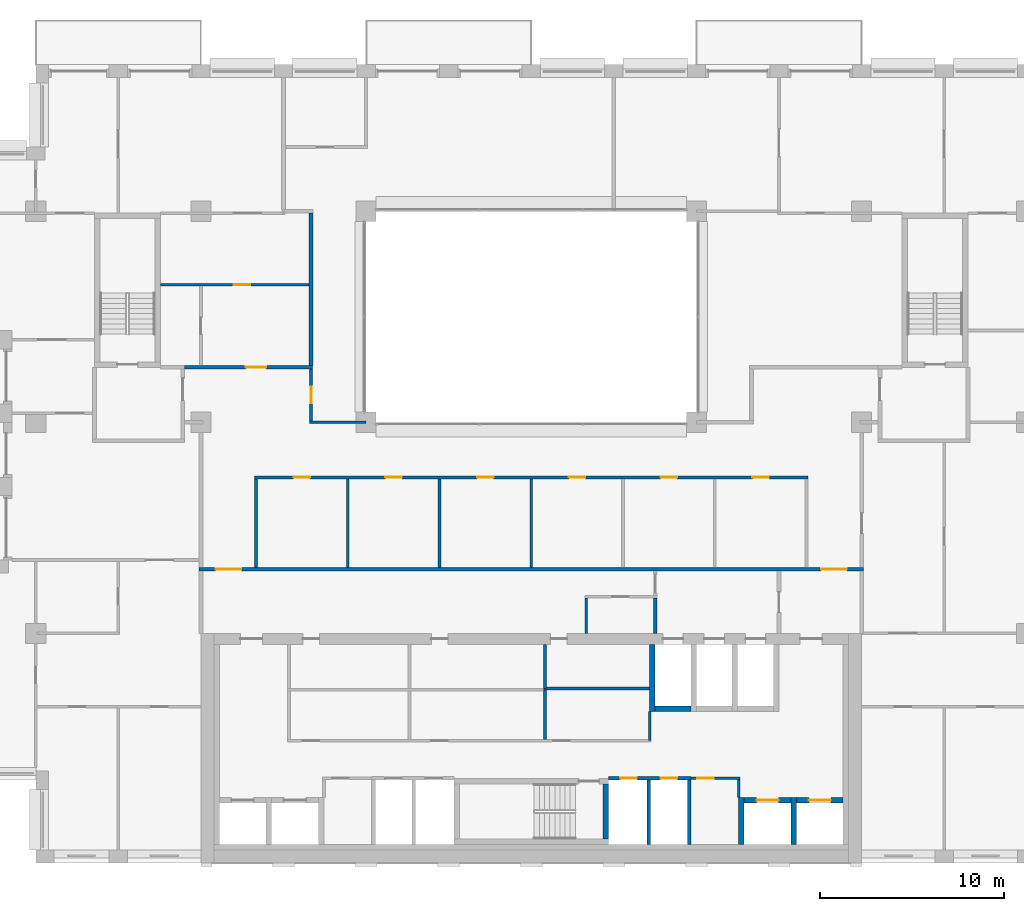
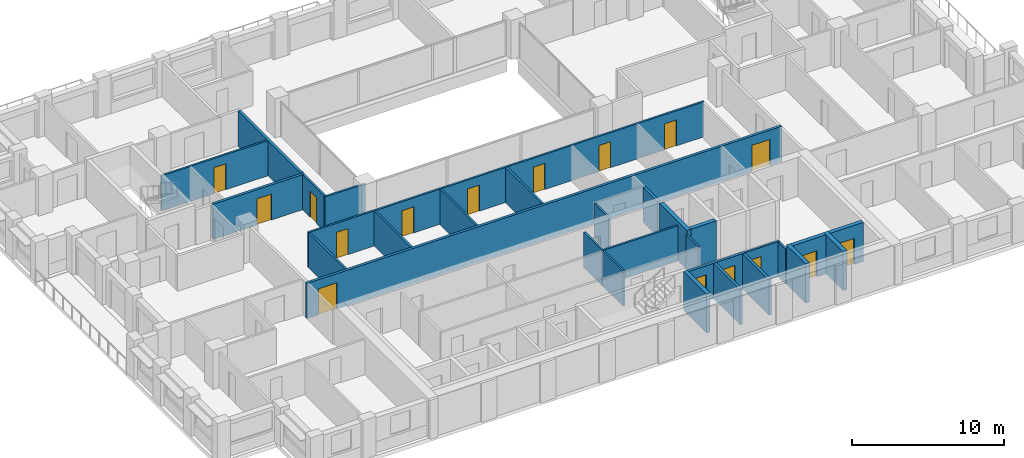
# One storey, part 10 of 16: 29 walls, 16 doors, 16 openings.
"""IFC4 building model written with IfcOpenShell, lengths in metres."""

from ifc_helpers import new_model, si_unit, direction, frame, frame_2d, origin, place, context, subcontext, project, spatial, rectangle, extrude, material, layer, layer_set, type_object, element, fill, save


model = new_model("IFC4")

# Units and contexts
model_context = context("Model", 3, precision=1e-05, world=origin(), true_north=direction((0.0, 1.0)))
body_context = subcontext(model_context, "Body", "Model", "MODEL_VIEW")
ifc_project = project(units=[si_unit("LENGTHUNIT", "METRE"), si_unit("AREAUNIT", "SQUARE_METRE"), si_unit("VOLUMEUNIT", "CUBIC_METRE"), si_unit("PLANEANGLEUNIT", "RADIAN"), si_unit("MASSUNIT", "GRAM", prefix="KILO")], contexts=[model_context])

# Site, building, storey
site_placement = place(None, origin())
site = spatial("IfcSite", under=ifc_project, at=site_placement, CompositionType="ELEMENT")
building_placement = place(site_placement, origin())
building = spatial("IfcBuilding", under=site, at=building_placement, Name="Brigalow Station Residences", CompositionType="ELEMENT")
storey_placement = place(building_placement, frame((0.0, 0.0, 179.10009765625)))
storey = spatial("IfcBuildingStorey", under=building, at=storey_placement, Name="L52", CompositionType="ELEMENT", Elevation=179.10009765625)

# Walls
ifc_material_1 = material(Name="Concrete C65", Category="concrete")
ifc_layer_1 = layer(ifc_material_1, 0.300048828125)
ifc_layer_set_1 = layer_set([ifc_layer_1], Name="CORE SHEAR WALL 300 C65")
wall_type_1 = type_object("IfcWallType", Name="CORE SHEAR WALL 300 C65", PredefinedType="SHEAR", material=ifc_layer_set_1)
wall_1_placement = place(storey_placement, frame((42.75, 8.39990234375, 0.0), z_axis=(0.0, 0.0, 1.0), x_axis=(1.0, 0.0, 0.0)))
element("IfcWall", 1, at=wall_1_placement, inside=storey, type_object=wall_type_1, Name="CORE WALL SH-FF1-S L52", PredefinedType="SHEAR", context=body_context, shape_type="SweptSolid", body=[
    extrude(rectangle(XDim=1.949951171875, YDim=0.300048828125, at=frame_2d((0.97509765625, 0.0))), origin(), (0.0, 0.0, 1.0), 3.14990234375),
])
wall_2_placement = place(storey_placement, frame((42.60009765625, 8.25, 0.0), z_axis=(0.0, 0.0, 1.0), x_axis=(0.0, 1.0, 0.0)))
element("IfcWall", 2, at=wall_2_placement, inside=storey, type_object=wall_type_1, Name="CORE WALL SH-FF1-W L52", PredefinedType="SHEAR", context=body_context, shape_type="SweptSolid", body=[
    extrude(rectangle(XDim=3.64990234375, YDim=0.300048828125, at=frame_2d((1.824951171875, 0.0))), origin(), (0.0, 0.0, 1.0), 3.14990234375),
])

# Wall, opening, door
wall_3_placement = place(storey_placement, frame((47.60009765625, 3.39990234375, 0.0), z_axis=(0.0, 0.0, 1.0), x_axis=(1.0, 0.0, 0.0)))
wall_3 = element("IfcWall", 3, at=wall_3_placement, inside=storey, type_object=wall_type_1, Name="CORE WALL SH-C3-N L52", PredefinedType="SHEAR", context=body_context, shape_type="SweptSolid", body=[
    extrude(rectangle(XDim=2.5498046875, YDim=0.300048828125, at=frame_2d((1.27490234375, 0.0))), origin(), (0.0, 0.0, 1.0), 3.14990234375),
])
opening_1_placement = place(wall_3_placement, frame((0.675048828125, 0.0, 0.0)))
opening_1 = element("IfcOpeningElement", 4, at=opening_1_placement, cuts=wall_3, Name="Opening LD-LB3", PredefinedType="OPENING", context=body_context, shape_type="SweptSolid", body=[
    extrude(rectangle(XDim=1.199951171875, YDim=2.10009765625, at=frame_2d((0.60009765625, 1.050048828125))), frame((0.0, 0.16015625, 0.0), z_axis=(0.0, -1.0, 0.0), x_axis=(1.0, 0.0, 0.0)), (0.0, 0.0, 1.0), 0.320068359375),
])
ifc_material_2 = material(Name="Stainless steel sliding door leaves", Category="steel")
door_type_1 = type_object("IfcDoorType", Name="LIFT LANDING DOOR 1200 x 2100", OperationType="DOUBLE_DOOR_SLIDING", PredefinedType="DOOR", material=ifc_material_2)
door_1_placement = place(opening_1_placement, origin())
door_1 = element("IfcDoor", 5, at=door_1_placement, inside=storey, type_object=door_type_1, Name="LANDING DOOR LB3", OperationType="DOUBLE_DOOR_SLIDING", OverallHeight=2.10009765625, OverallWidth=1.199951171875, PredefinedType="DOOR", context=body_context, shape_type="SweptSolid", body=[
    extrude(rectangle(XDim=1.199951171875, YDim=2.10009765625, at=frame_2d((0.60009765625, 1.050048828125))), frame((0.0, 0.02490234375, 0.0), z_axis=(0.0, -1.0, 0.0), x_axis=(1.0, 0.0, 0.0)), (0.0, 0.0, 1.0), 0.050048828125),
])
fill(opening_1, door_1)

# Wall
wall_4_placement = place(storey_placement, frame((47.449951171875, 1.0, 0.0), z_axis=(0.0, 0.0, 1.0), x_axis=(0.0, 1.0, 0.0)))
element("IfcWall", 6, at=wall_4_placement, inside=storey, type_object=wall_type_1, Name="CORE WALL SH-C3-W L52", PredefinedType="SHEAR", context=body_context, shape_type="SweptSolid", body=[
    extrude(rectangle(XDim=2.550048828125, YDim=0.300048828125, at=frame_2d((1.27490234375, 0.0))), origin(), (0.0, 0.0, 1.0), 3.14990234375),
])

# Wall, opening, door
wall_5_placement = place(storey_placement, frame((50.449951171875, 3.39990234375, 0.0), z_axis=(0.0, 0.0, 1.0), x_axis=(1.0, 0.0, 0.0)))
wall_5 = element("IfcWall", 7, at=wall_5_placement, inside=storey, type_object=wall_type_1, Name="CORE WALL SH-C4-N L52", PredefinedType="SHEAR", context=body_context, shape_type="SweptSolid", body=[
    extrude(rectangle(XDim=2.550048828125, YDim=0.300048828125, at=frame_2d((1.27490234375, 0.0))), origin(), (0.0, 0.0, 1.0), 3.14990234375),
])
opening_2_placement = place(wall_5_placement, frame((0.675048828125, 0.0, 0.0)))
opening_2 = element("IfcOpeningElement", 8, at=opening_2_placement, cuts=wall_5, Name="Opening LD-LB4", PredefinedType="OPENING", context=body_context, shape_type="SweptSolid", body=[
    extrude(rectangle(XDim=1.199951171875, YDim=2.10009765625, at=frame_2d((0.60009765625, 1.050048828125))), frame((0.0, 0.16015625, 0.0), z_axis=(0.0, -1.0, 0.0), x_axis=(1.0, 0.0, 0.0)), (0.0, 0.0, 1.0), 0.320068359375),
])
door_2_placement = place(opening_2_placement, origin())
door_2 = element("IfcDoor", 9, at=door_2_placement, inside=storey, type_object=door_type_1, Name="LANDING DOOR LB4", OperationType="DOUBLE_DOOR_SLIDING", OverallHeight=2.10009765625, OverallWidth=1.199951171875, PredefinedType="DOOR", context=body_context, shape_type="SweptSolid", body=[
    extrude(rectangle(XDim=1.199951171875, YDim=2.10009765625, at=frame_2d((0.60009765625, 1.050048828125))), frame((0.0, 0.02490234375, 0.0), z_axis=(0.0, -1.0, 0.0), x_axis=(1.0, 0.0, 0.0)), (0.0, 0.0, 1.0), 0.050048828125),
])
fill(opening_2, door_2)

# Walls
wall_6_placement = place(storey_placement, frame((50.300048828125, 1.0, 0.0), z_axis=(0.0, 0.0, 1.0), x_axis=(0.0, 1.0, 0.0)))
element("IfcWall", 10, at=wall_6_placement, inside=storey, type_object=wall_type_1, Name="CORE WALL SH-C4-W L52", PredefinedType="SHEAR", context=body_context, shape_type="SweptSolid", body=[
    extrude(rectangle(XDim=2.550048828125, YDim=0.300048828125, at=frame_2d((1.27490234375, 0.0))), origin(), (0.0, 0.0, 1.0), 3.14990234375),
])
wall_7_placement = place(storey_placement, frame((40.050048828125, 1.300048828125, 0.0), z_axis=(0.0, 0.0, 1.0), x_axis=(0.0, 1.0, 0.0)))
element("IfcWall", 11, at=wall_7_placement, inside=storey, type_object=wall_type_1, Name="CORE WALL ST-S2-E L52", PredefinedType="SHEAR", context=body_context, shape_type="SweptSolid", body=[
    extrude(rectangle(XDim=3.0, YDim=0.300048828125, at=frame_2d((1.5, 0.0))), origin(), (0.0, 0.0, 1.0), 3.14990234375),
])

# Wall, openings, doors
ifc_material_3 = material(Name="Concrete blockwork", Category="masonry")
ifc_layer_2 = layer(ifc_material_3, 0.199951171875)
ifc_layer_set_2 = layer_set([ifc_layer_2], Name="FIRE RATED CORE PARTITION 200")
wall_type_2 = type_object("IfcWallType", Name="FIRE RATED CORE PARTITION 200", PredefinedType="PARTITIONING", material=ifc_layer_set_2)
wall_8_placement = place(storey_placement, frame((40.199951171875, 4.60009765625, 0.0), z_axis=(0.0, 0.0, 1.0), x_axis=(1.0, 0.0, 0.0)))
wall_8 = element("IfcWall", 12, at=wall_8_placement, inside=storey, type_object=wall_type_2, Name="PW-5018", PredefinedType="PARTITIONING", context=body_context, shape_type="SweptSolid", body=[
    extrude(rectangle(XDim=4.5, YDim=0.199951171875, at=frame_2d((2.25, 0.0))), origin(), (0.0, 0.0, 1.0), 2.829833984375),
])
opening_3_placement = place(wall_8_placement, frame((0.64990234375, 0.0, 0.0)))
opening_3 = element("IfcOpeningElement", 13, at=opening_3_placement, cuts=wall_8, Name="Opening D-5009", PredefinedType="OPENING", context=body_context, shape_type="SweptSolid", body=[
    extrude(rectangle(XDim=0.89990234375, YDim=2.10009765625, at=frame_2d((0.449951171875, 1.050048828125))), frame((0.0, 0.10986328125, 0.0), z_axis=(0.0, -1.0, 0.0), x_axis=(1.0, 0.0, 0.0)), (0.0, 0.0, 1.0), 0.219970703125),
])
opening_4_placement = place(wall_8_placement, frame((2.85009765625, 0.0, 0.0)))
opening_4 = element("IfcOpeningElement", 14, at=opening_4_placement, cuts=wall_8, Name="Opening D-5010", PredefinedType="OPENING", context=body_context, shape_type="SweptSolid", body=[
    extrude(rectangle(XDim=0.89990234375, YDim=2.10009765625, at=frame_2d((0.449951171875, 1.050048828125))), frame((0.0, 0.10986328125, 0.0), z_axis=(0.0, -1.0, 0.0), x_axis=(1.0, 0.0, 0.0)), (0.0, 0.0, 1.0), 0.219970703125),
])
ifc_material_4 = material(Name="Steel fire door leaf in steel frame", Category="steel")
door_type_2 = type_object("IfcDoorType", Name="RISER ACCESS DOOR 900 x 2100 FD120", OperationType="SINGLE_SWING_LEFT", PredefinedType="DOOR", material=ifc_material_4)
door_3_placement = place(opening_3_placement, frame((0.89990234375, 0.0, 0.0), z_axis=(0.0, 0.0, 1.0), x_axis=(-1.0, 0.0, 0.0)))
door_3 = element("IfcDoor", 15, at=door_3_placement, inside=storey, type_object=door_type_2, Name="D-5009", OperationType="SINGLE_SWING_LEFT", OverallHeight=2.10009765625, OverallWidth=0.89990234375, PredefinedType="DOOR", context=body_context, shape_type="SweptSolid", body=[
    extrude(rectangle(XDim=0.89990234375, YDim=2.10009765625, at=frame_2d((0.449951171875, 1.050048828125))), frame((0.0, 0.02490234375, 0.0), z_axis=(0.0, -1.0, 0.0), x_axis=(1.0, 0.0, 0.0)), (0.0, 0.0, 1.0), 0.050048828125),
])
fill(opening_3, door_3)
door_4_placement = place(opening_4_placement, frame((0.89990234375, 0.0, 0.0), z_axis=(0.0, 0.0, 1.0), x_axis=(-1.0, 0.0, 0.0)))
door_4 = element("IfcDoor", 16, at=door_4_placement, inside=storey, type_object=door_type_2, Name="D-5010", OperationType="SINGLE_SWING_LEFT", OverallHeight=2.10009765625, OverallWidth=0.89990234375, PredefinedType="DOOR", context=body_context, shape_type="SweptSolid", body=[
    extrude(rectangle(XDim=0.89990234375, YDim=2.10009765625, at=frame_2d((0.449951171875, 1.050048828125))), frame((0.0, 0.02490234375, 0.0), z_axis=(0.0, -1.0, 0.0), x_axis=(1.0, 0.0, 0.0)), (0.0, 0.0, 1.0), 0.050048828125),
])
fill(opening_4, door_4)

# Walls
for number, where, z_axis, x_axis, name in (
    (17, (42.39990234375, 1.0, 0.0), (0.0, 0.0, 1.0), (0.0, 1.0, 0.0), "PW-5007"),
    (18, (44.60009765625, 1.0, 0.0), (0.0, 0.0, 1.0), (0.0, 1.0, 0.0), "PW-5008"),
):
    element("IfcWall", number, at=place(storey_placement, frame(where, z_axis=z_axis, x_axis=x_axis)), inside=storey, type_object=wall_type_2, Name=name, PredefinedType="PARTITIONING", context=body_context, shape_type="SweptSolid", body=[
        extrude(rectangle(XDim=3.5, YDim=0.199951171875, at=frame_2d((1.75, 0.0))), origin(), (0.0, 0.0, 1.0), 2.829833984375),
    ])
wall_9_placement = place(storey_placement, frame((42.75, 12.5, 0.0), z_axis=(0.0, 0.0, 1.0), x_axis=(0.0, 1.0, 0.0)))
element("IfcWall", 19, at=wall_9_placement, inside=storey, type_object=wall_type_2, Name="PW-5046", PredefinedType="PARTITIONING", context=body_context, shape_type="SweptSolid", body=[
    extrude(rectangle(XDim=1.925048828125, YDim=0.199951171875, at=frame_2d((0.96240234375, 0.0))), origin(), (0.0, 0.0, 1.0), 2.829833984375),
])
ifc_material_5 = material(Name="Plasterboard on steel stud partition", Category="steel")
ifc_layer_3 = layer(ifc_material_5, 0.14990234375)
ifc_layer_set_3 = layer_set([ifc_layer_3], Name="FLAT PARTITION 150")
wall_type_3 = type_object("IfcWallType", Name="FLAT PARTITION 150", PredefinedType="PARTITIONING", material=ifc_layer_set_3)
wall_10_placement = place(storey_placement, frame((23.925048828125, 24.0, 0.0), z_axis=(0.0, 0.0, 1.0), x_axis=(1.0, 0.0, 0.0)))
element("IfcWall", 20, at=wall_10_placement, inside=storey, type_object=wall_type_3, Name="PW-3F01", PredefinedType="PARTITIONING", context=body_context, shape_type="SweptSolid", body=[
    extrude(rectangle(XDim=3.074951171875, YDim=0.14990234375, at=frame_2d((1.53759765625, 0.0))), origin(), (0.0, 0.0, 1.0), 2.829833984375),
])

# Wall, openings, doors
wall_11_placement = place(storey_placement, frame((20.925048828125, 21.0, 0.0), z_axis=(0.0, 0.0, 1.0), x_axis=(1.0, 0.0, 0.0)))
wall_11 = element("IfcWall", 21, at=wall_11_placement, inside=storey, type_object=wall_type_3, Name="PW-3F06", PredefinedType="PARTITIONING", context=body_context, shape_type="SweptSolid", body=[
    extrude(rectangle(XDim=30.14990234375, YDim=0.14990234375, at=frame_2d((15.074951171875, 0.0))), origin(), (0.0, 0.0, 1.0), 2.829833984375),
])
opening_5_placement = place(wall_11_placement, frame((2.125, 0.0, 0.0)))
opening_5 = element("IfcOpeningElement", 22, at=opening_5_placement, cuts=wall_11, Name="Opening D-3F38", PredefinedType="OPENING", context=body_context, shape_type="SweptSolid", body=[
    extrude(rectangle(XDim=0.89990234375, YDim=2.10009765625, at=frame_2d((0.449951171875, 1.050048828125))), frame((0.0, 0.0849609375, 0.0), z_axis=(0.0, -1.0, 0.0), x_axis=(1.0, 0.0, 0.0)), (0.0, 0.0, 1.0), 0.169921875),
])
opening_6_placement = place(wall_11_placement, frame((7.125, 0.0, 0.0)))
opening_6 = element("IfcOpeningElement", 23, at=opening_6_placement, cuts=wall_11, Name="Opening D-3F39", PredefinedType="OPENING", context=body_context, shape_type="SweptSolid", body=[
    extrude(rectangle(XDim=0.89990234375, YDim=2.10009765625, at=frame_2d((0.449951171875, 1.050048828125))), frame((0.0, 0.0849609375, 0.0), z_axis=(0.0, -1.0, 0.0), x_axis=(1.0, 0.0, 0.0)), (0.0, 0.0, 1.0), 0.169921875),
])
opening_7_placement = place(wall_11_placement, frame((12.125, 0.0, 0.0)))
opening_7 = element("IfcOpeningElement", 24, at=opening_7_placement, cuts=wall_11, Name="Opening D-3F40", PredefinedType="OPENING", context=body_context, shape_type="SweptSolid", body=[
    extrude(rectangle(XDim=0.89990234375, YDim=2.10009765625, at=frame_2d((0.449951171875, 1.050048828125))), frame((0.0, 0.0849609375, 0.0), z_axis=(0.0, -1.0, 0.0), x_axis=(1.0, 0.0, 0.0)), (0.0, 0.0, 1.0), 0.169921875),
])
opening_8_placement = place(wall_11_placement, frame((17.125, 0.0, 0.0)))
opening_8 = element("IfcOpeningElement", 25, at=opening_8_placement, cuts=wall_11, Name="Opening D-3F41", PredefinedType="OPENING", context=body_context, shape_type="SweptSolid", body=[
    extrude(rectangle(XDim=0.89990234375, YDim=2.10009765625, at=frame_2d((0.449951171875, 1.050048828125))), frame((0.0, 0.0849609375, 0.0), z_axis=(0.0, -1.0, 0.0), x_axis=(1.0, 0.0, 0.0)), (0.0, 0.0, 1.0), 0.169921875),
])
opening_9_placement = place(wall_11_placement, frame((22.125, 0.0, 0.0)))
opening_9 = element("IfcOpeningElement", 26, at=opening_9_placement, cuts=wall_11, Name="Opening D-3F42", PredefinedType="OPENING", context=body_context, shape_type="SweptSolid", body=[
    extrude(rectangle(XDim=0.89990234375, YDim=2.10009765625, at=frame_2d((0.449951171875, 1.050048828125))), frame((0.0, 0.0849609375, 0.0), z_axis=(0.0, -1.0, 0.0), x_axis=(1.0, 0.0, 0.0)), (0.0, 0.0, 1.0), 0.169921875),
])
opening_10_placement = place(wall_11_placement, frame((27.125, 0.0, 0.0)))
opening_10 = element("IfcOpeningElement", 27, at=opening_10_placement, cuts=wall_11, Name="Opening D-3F43", PredefinedType="OPENING", context=body_context, shape_type="SweptSolid", body=[
    extrude(rectangle(XDim=0.89990234375, YDim=2.10009765625, at=frame_2d((0.449951171875, 1.050048828125))), frame((0.0, 0.0849609375, 0.0), z_axis=(0.0, -1.0, 0.0), x_axis=(1.0, 0.0, 0.0)), (0.0, 0.0, 1.0), 0.169921875),
])
ifc_material_6 = material(Name="Solid-core timber door leaf", Category="wood")
door_type_3 = type_object("IfcDoorType", Name="INTERNAL DOOR 900 x 2100", OperationType="SINGLE_SWING_LEFT", PredefinedType="DOOR", material=ifc_material_6)
door_5_placement = place(opening_5_placement, frame((0.89990234375, 0.0, 0.0), z_axis=(0.0, 0.0, 1.0), x_axis=(-1.0, 0.0, 0.0)))
door_5 = element("IfcDoor", 28, at=door_5_placement, inside=storey, type_object=door_type_3, Name="D-3F38", OperationType="SINGLE_SWING_LEFT", OverallHeight=2.10009765625, OverallWidth=0.89990234375, PredefinedType="DOOR", context=body_context, shape_type="SweptSolid", body=[
    extrude(rectangle(XDim=0.89990234375, YDim=2.10009765625, at=frame_2d((0.449951171875, 1.050048828125))), frame((0.0, 0.02490234375, 0.0), z_axis=(0.0, -1.0, 0.0), x_axis=(1.0, 0.0, 0.0)), (0.0, 0.0, 1.0), 0.050048828125),
])
fill(opening_5, door_5)
door_6_placement = place(opening_6_placement, frame((0.89990234375, 0.0, 0.0), z_axis=(0.0, 0.0, 1.0), x_axis=(-1.0, 0.0, 0.0)))
door_6 = element("IfcDoor", 29, at=door_6_placement, inside=storey, type_object=door_type_3, Name="D-3F39", OperationType="SINGLE_SWING_LEFT", OverallHeight=2.10009765625, OverallWidth=0.89990234375, PredefinedType="DOOR", context=body_context, shape_type="SweptSolid", body=[
    extrude(rectangle(XDim=0.89990234375, YDim=2.10009765625, at=frame_2d((0.449951171875, 1.050048828125))), frame((0.0, 0.02490234375, 0.0), z_axis=(0.0, -1.0, 0.0), x_axis=(1.0, 0.0, 0.0)), (0.0, 0.0, 1.0), 0.050048828125),
])
fill(opening_6, door_6)
door_7_placement = place(opening_7_placement, frame((0.89990234375, 0.0, 0.0), z_axis=(0.0, 0.0, 1.0), x_axis=(-1.0, 0.0, 0.0)))
door_7 = element("IfcDoor", 30, at=door_7_placement, inside=storey, type_object=door_type_3, Name="D-3F40", OperationType="SINGLE_SWING_LEFT", OverallHeight=2.10009765625, OverallWidth=0.89990234375, PredefinedType="DOOR", context=body_context, shape_type="SweptSolid", body=[
    extrude(rectangle(XDim=0.89990234375, YDim=2.10009765625, at=frame_2d((0.449951171875, 1.050048828125))), frame((0.0, 0.02490234375, 0.0), z_axis=(0.0, -1.0, 0.0), x_axis=(1.0, 0.0, 0.0)), (0.0, 0.0, 1.0), 0.050048828125),
])
fill(opening_7, door_7)
door_8_placement = place(opening_8_placement, frame((0.89990234375, 0.0, 0.0), z_axis=(0.0, 0.0, 1.0), x_axis=(-1.0, 0.0, 0.0)))
door_8 = element("IfcDoor", 31, at=door_8_placement, inside=storey, type_object=door_type_3, Name="D-3F41", OperationType="SINGLE_SWING_RIGHT", OverallHeight=2.10009765625, OverallWidth=0.89990234375, PredefinedType="DOOR", context=body_context, shape_type="SweptSolid", body=[
    extrude(rectangle(XDim=0.89990234375, YDim=2.10009765625, at=frame_2d((0.449951171875, 1.050048828125))), frame((0.0, 0.02490234375, 0.0), z_axis=(0.0, -1.0, 0.0), x_axis=(1.0, 0.0, 0.0)), (0.0, 0.0, 1.0), 0.050048828125),
])
fill(opening_8, door_8)
door_9_placement = place(opening_9_placement, frame((0.89990234375, 0.0, 0.0), z_axis=(0.0, 0.0, 1.0), x_axis=(-1.0, 0.0, 0.0)))
door_9 = element("IfcDoor", 32, at=door_9_placement, inside=storey, type_object=door_type_3, Name="D-3F42", OperationType="SINGLE_SWING_LEFT", OverallHeight=2.10009765625, OverallWidth=0.89990234375, PredefinedType="DOOR", context=body_context, shape_type="SweptSolid", body=[
    extrude(rectangle(XDim=0.89990234375, YDim=2.10009765625, at=frame_2d((0.449951171875, 1.050048828125))), frame((0.0, 0.02490234375, 0.0), z_axis=(0.0, -1.0, 0.0), x_axis=(1.0, 0.0, 0.0)), (0.0, 0.0, 1.0), 0.050048828125),
])
fill(opening_9, door_9)
door_10_placement = place(opening_10_placement, frame((0.89990234375, 0.0, 0.0), z_axis=(0.0, 0.0, 1.0), x_axis=(-1.0, 0.0, 0.0)))
door_10 = element("IfcDoor", 33, at=door_10_placement, inside=storey, type_object=door_type_3, Name="D-3F43", OperationType="SINGLE_SWING_LEFT", OverallHeight=2.10009765625, OverallWidth=0.89990234375, PredefinedType="DOOR", context=body_context, shape_type="SweptSolid", body=[
    extrude(rectangle(XDim=0.89990234375, YDim=2.10009765625, at=frame_2d((0.449951171875, 1.050048828125))), frame((0.0, 0.02490234375, 0.0), z_axis=(0.0, -1.0, 0.0), x_axis=(1.0, 0.0, 0.0)), (0.0, 0.0, 1.0), 0.050048828125),
])
fill(opening_10, door_10)

# Wall, opening, door
wall_12_placement = place(storey_placement, frame((15.800048828125, 31.5, 0.0), z_axis=(0.0, 0.0, 1.0), x_axis=(1.0, 0.0, 0.0)))
wall_12 = element("IfcWall", 34, at=wall_12_placement, inside=storey, type_object=wall_type_3, Name="PW-3F09", PredefinedType="PARTITIONING", context=body_context, shape_type="SweptSolid", body=[
    extrude(rectangle(XDim=8.099853515625, YDim=0.14990234375, at=frame_2d((4.0498046875, 0.0))), origin(), (0.0, 0.0, 1.0), 2.829833984375),
])
opening_11_placement = place(wall_12_placement, frame((4.0, 0.0, 0.0)))
opening_11 = element("IfcOpeningElement", 35, at=opening_11_placement, cuts=wall_12, Name="Opening D-3F06", PredefinedType="OPENING", context=body_context, shape_type="SweptSolid", body=[
    extrude(rectangle(XDim=0.89990234375, YDim=2.10009765625, at=frame_2d((0.449951171875, 1.050048828125))), frame((0.0, 0.0849609375, 0.0), z_axis=(0.0, -1.0, 0.0), x_axis=(1.0, 0.0, 0.0)), (0.0, 0.0, 1.0), 0.169921875),
])
door_11_placement = place(opening_11_placement, frame((0.89990234375, 0.0, 0.0), z_axis=(0.0, 0.0, 1.0), x_axis=(-1.0, 0.0, 0.0)))
door_11 = element("IfcDoor", 36, at=door_11_placement, inside=storey, type_object=door_type_3, Name="D-3F06", OperationType="SINGLE_SWING_RIGHT", OverallHeight=2.10009765625, OverallWidth=0.89990234375, PredefinedType="DOOR", context=body_context, shape_type="SweptSolid", body=[
    extrude(rectangle(XDim=0.89990234375, YDim=2.10009765625, at=frame_2d((0.449951171875, 1.050048828125))), frame((0.0, 0.02490234375, 0.0), z_axis=(0.0, -1.0, 0.0), x_axis=(1.0, 0.0, 0.0)), (0.0, 0.0, 1.0), 0.050048828125),
])
fill(opening_11, door_11)

# Wall
wall_13_placement = place(storey_placement, frame((21.0, 16.10009765625, 0.0), z_axis=(0.0, 0.0, 1.0), x_axis=(0.0, 1.0, 0.0)))
element("IfcWall", 37, at=wall_13_placement, inside=storey, type_object=wall_type_3, Name="PW-3F31", PredefinedType="PARTITIONING", context=body_context, shape_type="SweptSolid", body=[
    extrude(rectangle(XDim=4.824951171875, YDim=0.14990234375, at=frame_2d((2.41259765625, 0.0))), origin(), (0.0, 0.0, 1.0), 2.829833984375),
])

# Wall, opening, door
wall_14_placement = place(storey_placement, frame((24.0, 24.074951171875, 0.0), z_axis=(0.0, 0.0, 1.0), x_axis=(0.0, 1.0, 0.0)))
wall_14 = element("IfcWall", 38, at=wall_14_placement, inside=storey, type_object=wall_type_3, Name="PW-3F33", PredefinedType="PARTITIONING", context=body_context, shape_type="SweptSolid", body=[
    extrude(rectangle(XDim=2.824951171875, YDim=0.14990234375, at=frame_2d((1.41259765625, 0.0))), origin(), (0.0, 0.0, 1.0), 2.829833984375),
])
opening_12_placement = place(wall_14_placement, frame((0.97509765625, 0.0, 0.0)))
opening_12 = element("IfcOpeningElement", 39, at=opening_12_placement, cuts=wall_14, Name="Opening D-3F36", PredefinedType="OPENING", context=body_context, shape_type="SweptSolid", body=[
    extrude(rectangle(XDim=0.89990234375, YDim=2.10009765625, at=frame_2d((0.449951171875, 1.050048828125))), frame((0.0, 0.0849609375, 0.0), z_axis=(0.0, -1.0, 0.0), x_axis=(1.0, 0.0, 0.0)), (0.0, 0.0, 1.0), 0.169921875),
])
door_12_placement = place(opening_12_placement, origin())
door_12 = element("IfcDoor", 40, at=door_12_placement, inside=storey, type_object=door_type_3, Name="D-3F36", OperationType="SINGLE_SWING_RIGHT", OverallHeight=2.10009765625, OverallWidth=0.89990234375, PredefinedType="DOOR", context=body_context, shape_type="SweptSolid", body=[
    extrude(rectangle(XDim=0.89990234375, YDim=2.10009765625, at=frame_2d((0.449951171875, 1.050048828125))), frame((0.0, 0.02490234375, 0.0), z_axis=(0.0, -1.0, 0.0), x_axis=(1.0, 0.0, 0.0)), (0.0, 0.0, 1.0), 0.050048828125),
])
fill(opening_12, door_12)

# Walls
for number, where, z_axis, x_axis, name in (
    (41, (26.0, 16.10009765625, 0.0), (0.0, 0.0, 1.0), (0.0, 1.0, 0.0), "PW-3F55"),
    (42, (31.0, 16.10009765625, 0.0), (0.0, 0.0, 1.0), (0.0, 1.0, 0.0), "PW-3F56"),
    (43, (36.0, 16.10009765625, 0.0), (0.0, 0.0, 1.0), (0.0, 1.0, 0.0), "PW-3F57"),
):
    element("IfcWall", number, at=place(storey_placement, frame(where, z_axis=z_axis, x_axis=x_axis)), inside=storey, type_object=wall_type_3, Name=name, PredefinedType="PARTITIONING", context=body_context, shape_type="SweptSolid", body=[
        extrude(rectangle(XDim=4.824951171875, YDim=0.14990234375, at=frame_2d((2.41259765625, 0.0))), origin(), (0.0, 0.0, 1.0), 2.829833984375),
    ])

# Wall, opening, door
ifc_material_7 = material(Name="Plasterboard on steel stud partition", Category="steel")
ifc_layer_4 = layer(ifc_material_7, 0.199951171875)
ifc_layer_set_4 = layer_set([ifc_layer_4], Name="PARTY AND CORRIDOR WALL 200")
wall_type_4 = type_object("IfcWallType", Name="PARTY AND CORRIDOR WALL 200", PredefinedType="PARTITIONING", material=ifc_layer_set_4)
wall_15_placement = place(storey_placement, frame((17.10009765625, 27.0, 0.0), z_axis=(0.0, 0.0, 1.0), x_axis=(1.0, 0.0, 0.0)))
wall_15 = element("IfcWall", 44, at=wall_15_placement, inside=storey, type_object=wall_type_4, Name="PW-3F07", PredefinedType="PARTITIONING", context=body_context, shape_type="SweptSolid", body=[
    extrude(rectangle(XDim=6.974853515625, YDim=0.199951171875, at=frame_2d((3.4873046875, 0.0))), origin(), (0.0, 0.0, 1.0), 2.829833984375),
])
opening_13_placement = place(wall_15_placement, frame((3.35009765625, 0.0, 0.0)))
opening_13 = element("IfcOpeningElement", 45, at=opening_13_placement, cuts=wall_15, Name="Opening D-3F03", PredefinedType="OPENING", context=body_context, shape_type="SweptSolid", body=[
    extrude(rectangle(XDim=1.10009765625, YDim=2.10009765625, at=frame_2d((0.550048828125, 1.050048828125))), frame((0.0, 0.10986328125, 0.0), z_axis=(0.0, -1.0, 0.0), x_axis=(1.0, 0.0, 0.0)), (0.0, 0.0, 1.0), 0.219970703125),
])
ifc_material_8 = material(Name="Solid-core timber door leaf", Category="wood")
door_type_4 = type_object("IfcDoorType", Name="FLAT ENTRANCE DOOR 1100 x 2100 FRL -/60/30", OperationType="SINGLE_SWING_LEFT", PredefinedType="DOOR", material=ifc_material_8)
door_13_placement = place(opening_13_placement, origin())
door_13 = element("IfcDoor", 46, at=door_13_placement, inside=storey, type_object=door_type_4, Name="D-3F03", OperationType="SINGLE_SWING_RIGHT", OverallHeight=2.10009765625, OverallWidth=1.10009765625, PredefinedType="DOOR", context=body_context, shape_type="SweptSolid", body=[
    extrude(rectangle(XDim=1.10009765625, YDim=2.10009765625, at=frame_2d((0.550048828125, 1.050048828125))), frame((0.0, 0.02490234375, 0.0), z_axis=(0.0, -1.0, 0.0), x_axis=(1.0, 0.0, 0.0)), (0.0, 0.0, 1.0), 0.050048828125),
])
fill(opening_13, door_13)

# Wall, openings, doors
wall_16_placement = place(storey_placement, frame((17.89990234375, 16.0, 0.0), z_axis=(0.0, 0.0, 1.0), x_axis=(1.0, 0.0, 0.0)))
wall_16 = element("IfcWall", 47, at=wall_16_placement, inside=storey, type_object=wall_type_4, Name="PW-3F27", PredefinedType="PARTITIONING", context=body_context, shape_type="SweptSolid", body=[
    extrude(rectangle(XDim=36.2001953125, YDim=0.199951171875, at=frame_2d((18.10009765625, 0.0))), origin(), (0.0, 0.0, 1.0), 2.829833984375),
])
opening_14_placement = place(wall_16_placement, frame((0.89990234375, 0.0, 0.0)))
opening_14 = element("IfcOpeningElement", 48, at=opening_14_placement, cuts=wall_16, Name="Opening D-3F01", PredefinedType="OPENING", context=body_context, shape_type="SweptSolid", body=[
    extrude(rectangle(XDim=1.39990234375, YDim=2.10009765625, at=frame_2d((0.699951171875, 1.050048828125))), frame((0.0, 0.10986328125, 0.0), z_axis=(0.0, -1.0, 0.0), x_axis=(1.0, 0.0, 0.0)), (0.0, 0.0, 1.0), 0.219970703125),
])
opening_15_placement = place(wall_16_placement, frame((33.89990234375, 0.0, 0.0)))
opening_15 = element("IfcOpeningElement", 49, at=opening_15_placement, cuts=wall_16, Name="Opening D-3F02", PredefinedType="OPENING", context=body_context, shape_type="SweptSolid", body=[
    extrude(rectangle(XDim=1.39990234375, YDim=2.10009765625, at=frame_2d((0.699951171875, 1.050048828125))), frame((0.0, 0.10986328125, 0.0), z_axis=(0.0, -1.0, 0.0), x_axis=(1.0, 0.0, 0.0)), (0.0, 0.0, 1.0), 0.219970703125),
])
ifc_material_9 = material(Name="Solid-core timber door leaf", Category="wood")
door_type_5 = type_object("IfcDoorType", Name="CORRIDOR FIRE DOOR 1400 x 2100 FRL -/60/30", OperationType="DOUBLE_DOOR_SINGLE_SWING", PredefinedType="DOOR", material=ifc_material_9)
door_14_placement = place(opening_14_placement, frame((1.39990234375, 0.0, 0.0), z_axis=(0.0, 0.0, 1.0), x_axis=(-1.0, 0.0, 0.0)))
door_14 = element("IfcDoor", 50, at=door_14_placement, inside=storey, type_object=door_type_5, Name="D-3F01", OperationType="DOUBLE_DOOR_SINGLE_SWING", OverallHeight=2.10009765625, OverallWidth=1.39990234375, PredefinedType="DOOR", context=body_context, shape_type="SweptSolid", body=[
    extrude(rectangle(XDim=1.39990234375, YDim=2.10009765625, at=frame_2d((0.699951171875, 1.050048828125))), frame((0.0, 0.02490234375, 0.0), z_axis=(0.0, -1.0, 0.0), x_axis=(1.0, 0.0, 0.0)), (0.0, 0.0, 1.0), 0.050048828125),
])
fill(opening_14, door_14)
door_15_placement = place(opening_15_placement, frame((1.39990234375, 0.0, 0.0), z_axis=(0.0, 0.0, 1.0), x_axis=(-1.0, 0.0, 0.0)))
door_15 = element("IfcDoor", 51, at=door_15_placement, inside=storey, type_object=door_type_5, Name="D-3F02", OperationType="DOUBLE_DOOR_SINGLE_SWING", OverallHeight=2.10009765625, OverallWidth=1.39990234375, PredefinedType="DOOR", context=body_context, shape_type="SweptSolid", body=[
    extrude(rectangle(XDim=1.39990234375, YDim=2.10009765625, at=frame_2d((0.699951171875, 1.050048828125))), frame((0.0, 0.02490234375, 0.0), z_axis=(0.0, -1.0, 0.0), x_axis=(1.0, 0.0, 0.0)), (0.0, 0.0, 1.0), 0.050048828125),
])
fill(opening_15, door_15)

# Wall
wall_17_placement = place(storey_placement, frame((24.0, 27.10009765625, 0.0), z_axis=(0.0, 0.0, 1.0), x_axis=(0.0, 1.0, 0.0)))
element("IfcWall", 52, at=wall_17_placement, inside=storey, type_object=wall_type_4, Name="PW-3F34", PredefinedType="PARTITIONING", context=body_context, shape_type="SweptSolid", body=[
    extrude(rectangle(XDim=8.2998046875, YDim=0.199951171875, at=frame_2d((4.14990234375, 0.0))), origin(), (0.0, 0.0, 1.0), 2.829833984375),
])

# Wall, opening, door
ifc_material_10 = material(Name="Plasterboard on steel studs", Category="steel")
ifc_layer_5 = layer(ifc_material_10, 0.14990234375)
ifc_layer_set_5 = layer_set([ifc_layer_5], Name="SERVICE ROOM PARTITION 150")
wall_type_5 = type_object("IfcWallType", Name="SERVICE ROOM PARTITION 150", PredefinedType="PARTITIONING", material=ifc_layer_set_5)
wall_18_placement = place(storey_placement, frame((44.699951171875, 4.60009765625, 0.0), z_axis=(0.0, 0.0, 1.0), x_axis=(1.0, 0.0, 0.0)))
wall_18 = element("IfcWall", 53, at=wall_18_placement, inside=storey, type_object=wall_type_5, Name="PW-5156", PredefinedType="PARTITIONING", context=body_context, shape_type="SweptSolid", body=[
    extrude(rectangle(XDim=2.675048828125, YDim=0.14990234375, at=frame_2d((1.33740234375, 0.0))), origin(), (0.0, 0.0, 1.0), 2.829833984375),
])
opening_16_placement = place(wall_18_placement, frame((0.35009765625, 0.0, 0.0)))
opening_16 = element("IfcOpeningElement", 54, at=opening_16_placement, cuts=wall_18, Name="Opening D-5026", PredefinedType="OPENING", context=body_context, shape_type="SweptSolid", body=[
    extrude(rectangle(XDim=0.89990234375, YDim=2.10009765625, at=frame_2d((0.449951171875, 1.050048828125))), frame((0.0, 0.0849609375, 0.0), z_axis=(0.0, -1.0, 0.0), x_axis=(1.0, 0.0, 0.0)), (0.0, 0.0, 1.0), 0.169921875),
])
ifc_material_11 = material(Name="Steel door leaf in steel frame", Category="steel")
door_type_6 = type_object("IfcDoorType", Name="SERVICE ROOM DOOR 900 x 2100 FD60", OperationType="SINGLE_SWING_LEFT", PredefinedType="DOOR", material=ifc_material_11)
door_16_placement = place(opening_16_placement, frame((0.89990234375, 0.0, 0.0), z_axis=(0.0, 0.0, 1.0), x_axis=(-1.0, 0.0, 0.0)))
door_16 = element("IfcDoor", 55, at=door_16_placement, inside=storey, type_object=door_type_6, Name="D-5026", OperationType="SINGLE_SWING_RIGHT", OverallHeight=2.10009765625, OverallWidth=0.89990234375, PredefinedType="DOOR", context=body_context, shape_type="SweptSolid", body=[
    extrude(rectangle(XDim=0.89990234375, YDim=2.10009765625, at=frame_2d((0.449951171875, 1.050048828125))), frame((0.0, 0.02490234375, 0.0), z_axis=(0.0, -1.0, 0.0), x_axis=(1.0, 0.0, 0.0)), (0.0, 0.0, 1.0), 0.050048828125),
])
fill(opening_16, door_16)

# Walls
wall_19_placement = place(storey_placement, frame((36.675048828125, 9.5, 0.0), z_axis=(0.0, 0.0, 1.0), x_axis=(1.0, 0.0, 0.0)))
element("IfcWall", 56, at=wall_19_placement, inside=storey, type_object=wall_type_5, Name="PW-5215", PredefinedType="PARTITIONING", context=body_context, shape_type="SweptSolid", body=[
    extrude(rectangle(XDim=5.77490234375, YDim=0.14990234375, at=frame_2d((2.887451171875, 0.0))), origin(), (0.0, 0.0, 1.0), 2.829833984375),
])
wall_20_placement = place(storey_placement, frame((47.300048828125, 3.550048828125, 0.0), z_axis=(0.0, 0.0, 1.0), x_axis=(0.0, 1.0, 0.0)))
element("IfcWall", 57, at=wall_20_placement, inside=storey, type_object=wall_type_5, Name="PW-5158", PredefinedType="PARTITIONING", context=body_context, shape_type="SweptSolid", body=[
    extrude(rectangle(XDim=0.974853515625, YDim=0.14990234375, at=frame_2d((0.4873046875, 0.0))), origin(), (0.0, 0.0, 1.0), 2.829833984375),
])
wall_21_placement = place(storey_placement, frame((42.449951171875, 6.64990234375, 0.0), z_axis=(0.0, 0.0, 1.0), x_axis=(0.0, 1.0, 0.0)))
element("IfcWall", 58, at=wall_21_placement, inside=storey, type_object=wall_type_5, Name="PW-5029", PredefinedType="PARTITIONING", context=body_context, shape_type="SweptSolid", body=[
    extrude(rectangle(XDim=1.60009765625, YDim=0.14990234375, at=frame_2d((0.800048828125, 0.0))), origin(), (0.0, 0.0, 1.0), 2.829833984375),
])
wall_22_placement = place(storey_placement, frame((36.75, 6.72509765625, 0.0), z_axis=(0.0, 0.0, 1.0), x_axis=(0.0, 1.0, 0.0)))
element("IfcWall", 59, at=wall_22_placement, inside=storey, type_object=wall_type_5, Name="PW-5239", PredefinedType="PARTITIONING", context=body_context, shape_type="SweptSolid", body=[
    extrude(rectangle(XDim=2.699951171875, YDim=0.14990234375, at=frame_2d((1.35009765625, 0.0))), origin(), (0.0, 0.0, 1.0), 2.829833984375),
])
wall_23_placement = place(storey_placement, frame((36.75, 9.5048828125, 0.0), z_axis=(0.0, 0.0, 1.0), x_axis=(0.0, 1.0, 0.0)))
element("IfcWall", 60, at=wall_23_placement, inside=storey, type_object=wall_type_5, Name="PW-5242", PredefinedType="PARTITIONING", context=body_context, shape_type="SweptSolid", body=[
    extrude(rectangle(XDim=2.39501953125, YDim=0.14990234375, at=frame_2d((1.197509765625, 0.0))), origin(), (0.0, 0.0, 1.0), 2.829833984375),
])
wall_24_placement = place(storey_placement, frame((39.0, 12.5, 0.0), z_axis=(0.0, 0.0, 1.0), x_axis=(0.0, 1.0, 0.0)))
element("IfcWall", 61, at=wall_24_placement, inside=storey, type_object=wall_type_5, Name="PW-5136", PredefinedType="PARTITIONING", context=body_context, shape_type="SweptSolid", body=[
    extrude(rectangle(XDim=1.925048828125, YDim=0.14990234375, at=frame_2d((0.96240234375, 0.0))), origin(), (0.0, 0.0, 1.0), 2.829833984375),
])

save(model, "model.ifc")
